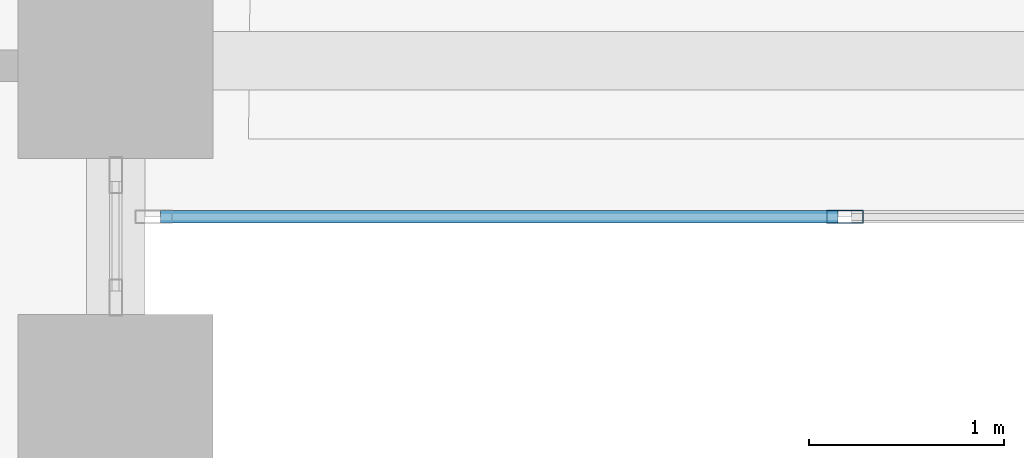
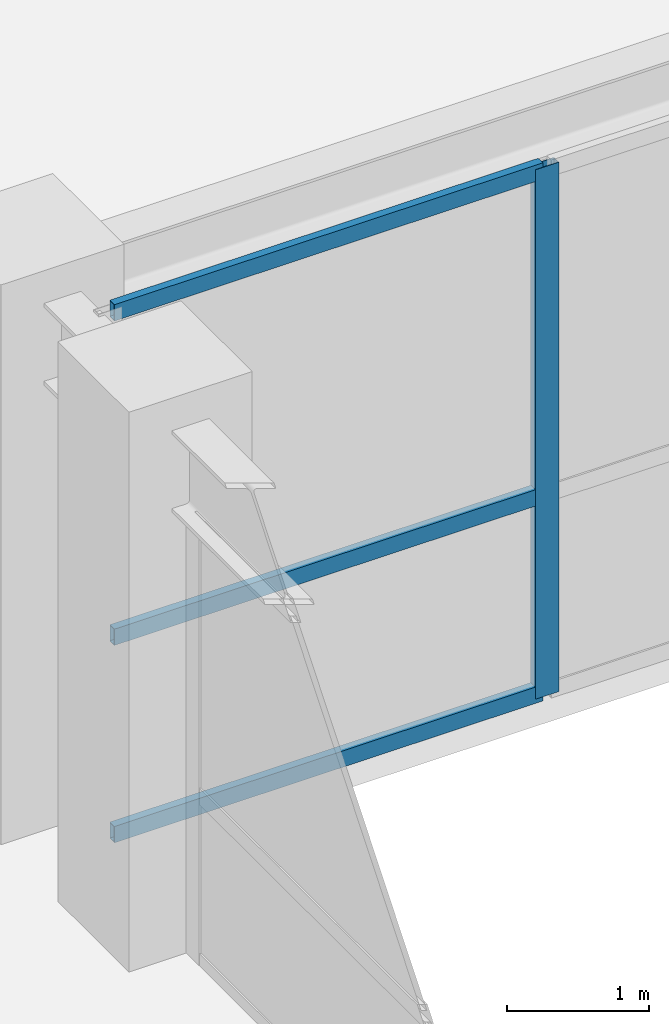
# One storey, part 17 of 48: 4 members, 1 element without a shape of its own.
"""IFC4 building model written with IfcOpenShell, lengths in metres."""

import ifcopenshell
import ifcopenshell.guid

model = None  # the IFC model being written
_history = None  # IfcOwnerHistory: only IFC2X3 demands one
_inside = {}  # id of a spatial element -> (the spatial element, [elements in it])
_under = {}  # id of a project, library or spatial element -> (it, [spatial elements below it])
_declared = {}  # id of a project -> (the project, [libraries it declares])
_typed = {}  # id of a type object -> (the type object, [elements of that type])
_made_of = {}  # id of a material, layer set ... -> (it, [elements and type objects made of it])


def new_model(schema):
    """Start an empty IFC model of exactly this schema.

    Asked for "IFC4X3", IfcOpenShell would pick the latest addendum, in which some entities
    have other attributes; the version numbers below select the first issue.
    IFC2X3 requires an IfcOwnerHistory on every rooted entity: one is made here for all.
    """
    global model, _history
    if schema == "IFC4X3":
        model = ifcopenshell.file(schema_version=(4, 3, 0, 0))
    else:
        model = ifcopenshell.file(schema=schema)
    _inside.clear()
    _under.clear()
    _declared.clear()
    _typed.clear()
    _made_of.clear()
    _history = None
    if model.schema == "IFC2X3":
        org = make("IfcOrganization", Name="unknown")
        user = make(
            "IfcPersonAndOrganization",
            ThePerson=make("IfcPerson", FamilyName="unknown"),
            TheOrganization=org,
        )
        app = make(
            "IfcApplication",
            ApplicationDeveloper=org,
            Version="unknown",
            ApplicationFullName="unknown",
            ApplicationIdentifier="unknown",
        )
        _history = make(
            "IfcOwnerHistory",
            OwningUser=user,
            OwningApplication=app,
            ChangeAction="ADDED",
            CreationDate=0,
        )
    return model


def make(cls, **values):
    """One entity of the class cls with the attributes given. An attribute that is None is left unset."""
    return model.create_entity(
        cls, **{name: value for name, value in values.items() if value is not None}
    )


def rooted(cls, **values):
    """An entity with a GlobalId (a new one), such as an element, a storey or a relation."""
    return make(cls, GlobalId=ifcopenshell.guid.new(), OwnerHistory=_history, **values)


def si_unit(unit_type, name, prefix=None):
    """IfcSIUnit, for example si_unit("LENGTHUNIT", "METRE", prefix="MILLI")."""
    return make("IfcSIUnit", UnitType=unit_type, Prefix=prefix, Name=name)


def derived_unit(unit_type, elements):
    """IfcDerivedUnit: a product of units, each with its exponent."""
    return make(
        "IfcDerivedUnit",
        Elements=[
            make("IfcDerivedUnitElement", Unit=unit, Exponent=power)
            for unit, power in elements
        ],
        UnitType=unit_type,
    )


def assignment(units):
    """IfcUnitAssignment: the units of a project."""
    return None if units is None else make("IfcUnitAssignment", Units=units)


def point(xyz):
    """IfcCartesianPoint."""
    return None if xyz is None else make("IfcCartesianPoint", Coordinates=xyz)


def direction(xyz):
    """IfcDirection."""
    return None if xyz is None else make("IfcDirection", DirectionRatios=xyz)


def frame(location, z_axis=None, x_axis=None):
    """IfcAxis2Placement3D, a coordinate frame: its origin and axes. An axis left out is left unset."""
    return make(
        "IfcAxis2Placement3D",
        Location=point(location),
        Axis=direction(z_axis),
        RefDirection=direction(x_axis),
    )


def frame_2d(location, x_axis=None):
    """IfcAxis2Placement2D, a coordinate frame in the plane: its origin and x axis."""
    return make(
        "IfcAxis2Placement2D", Location=point(location), RefDirection=direction(x_axis)
    )


def origin():
    """The frame at (0, 0, 0) with its axes left unset."""
    return frame((0.0, 0.0, 0.0))


def origin_2d():
    """The frame at (0, 0) in the plane with its x axis left unset."""
    return frame_2d((0.0, 0.0))


def place(relative_to, where):
    """IfcLocalPlacement: puts the frame where relative to a parent placement (None: the world)."""
    return make(
        "IfcLocalPlacement", PlacementRelTo=relative_to, RelativePlacement=where
    )


def context(
    kind, dimensions, precision=None, world=None, true_north=None, identifier=None
):
    """IfcGeometricRepresentationContext, for example the 3D "Model" context."""
    return make(
        "IfcGeometricRepresentationContext",
        ContextIdentifier=identifier,
        ContextType=kind,
        CoordinateSpaceDimension=dimensions,
        Precision=precision,
        WorldCoordinateSystem=world,
        TrueNorth=true_north,
    )


def subcontext(parent, identifier, kind, view, scale=None):
    """IfcGeometricRepresentationSubContext, for example "Body" below "Model"."""
    return make(
        "IfcGeometricRepresentationSubContext",
        ContextIdentifier=identifier,
        ContextType=kind,
        ParentContext=parent,
        TargetScale=scale,
        TargetView=view,
    )


def project(units=None, contexts=None):
    """IfcProject with its units and contexts."""
    return rooted(
        "IfcProject",
        Name="project",
        RepresentationContexts=contexts,
        UnitsInContext=assignment(units),
    )


def spatial(cls, under=None, at=None, **own):
    """A site, building, storey or space (cls), placed at a placement, below another one or the project."""
    s = rooted(cls, ObjectPlacement=at, **own)
    if under is not None:
        _under.setdefault(under.id(), (under, []))[1].append(s)
    return s


def profile(cls, at=None, kind="AREA", **sizes):
    """A parametric profile (cls). Its sizes go by their IFC names, for example OverallWidth=200.0."""
    return make(cls, ProfileType=kind, Position=at, **sizes)


def hollow_rectangle(**sizes):
    """IfcRectangleHollowProfileDef."""
    return profile("IfcRectangleHollowProfileDef", **sizes)


def extrude(swept, where, along, depth):
    """IfcExtrudedAreaSolid: the profile swept, set in the frame where, extruded along a direction by depth."""
    return make(
        "IfcExtrudedAreaSolid",
        SweptArea=swept,
        Position=where,
        ExtrudedDirection=direction(along),
        Depth=depth,
    )


def shape(context_of_items, identifier, shape_type, items):
    """IfcShapeRepresentation: the items that make up one representation, for example the "Body"."""
    return make(
        "IfcShapeRepresentation",
        ContextOfItems=context_of_items,
        RepresentationIdentifier=identifier,
        RepresentationType=shape_type,
        Items=items,
    )


def source(mapping_origin, context_of_items, identifier, shape_type, items):
    """IfcRepresentationMap: a shape defined once, which mapped items show again and again."""
    return make(
        "IfcRepresentationMap",
        MappingOrigin=mapping_origin,
        MappedRepresentation=shape(context_of_items, identifier, shape_type, items),
    )


def transform(
    local_origin,
    x_axis=None,
    y_axis=None,
    z_axis=None,
    scale=None,
    scale2=None,
    scale3=None,
    uniform=True,
):
    """IfcCartesianTransformationOperator3D, or its non-uniform kind. x_axis, y_axis, z_axis: its Axis1, 2, 3."""
    if uniform:
        return make(
            "IfcCartesianTransformationOperator3D",
            Axis1=direction(x_axis),
            Axis2=direction(y_axis),
            LocalOrigin=point(local_origin),
            Scale=scale,
            Axis3=direction(z_axis),
        )
    return make(
        "IfcCartesianTransformationOperator3DnonUniform",
        Axis1=direction(x_axis),
        Axis2=direction(y_axis),
        LocalOrigin=point(local_origin),
        Scale=scale,
        Axis3=direction(z_axis),
        Scale2=scale2,
        Scale3=scale3,
    )


def mapped(mapping_source, mapping_target):
    """IfcMappedItem: shows the shape of a source again, moved by a transform."""
    return make(
        "IfcMappedItem", MappingSource=mapping_source, MappingTarget=mapping_target
    )


def material(Name=None, Category=None):
    """IfcMaterial."""
    return make("IfcMaterial", Name=Name, Category=Category)


def layer(
    of_material, thickness, ventilated=None, Name=None, Category=None, Priority=None
):
    """IfcMaterialLayer: one layer of a wall or slab, of a material (None: an air gap)."""
    return make(
        "IfcMaterialLayer",
        Material=of_material,
        LayerThickness=thickness,
        IsVentilated=ventilated,
        Name=Name,
        Category=Category,
        Priority=Priority,
    )


def layer_set(layers, Name=None):
    """IfcMaterialLayerSet."""
    return make("IfcMaterialLayerSet", MaterialLayers=layers, LayerSetName=Name)


def material_profile(
    of_material, cross_section, Name=None, Category=None, Priority=None
):
    """IfcMaterialProfile: a cross section and its material."""
    return make(
        "IfcMaterialProfile",
        Name=Name,
        Material=of_material,
        Profile=cross_section,
        Priority=Priority,
        Category=Category,
    )


def profile_set(profiles, Name=None, composite=None):
    """IfcMaterialProfileSet."""
    return make(
        "IfcMaterialProfileSet",
        Name=Name,
        MaterialProfiles=profiles,
        CompositeProfile=composite,
    )


def made_of(thing, what):
    """Note that an element or type object is made of a material, layer set ...; save() writes the relation."""
    if what is not None:
        _made_of.setdefault(what.id(), (what, []))[1].append(thing)
    return thing


def type_object(cls, material=None, **own):
    """A type object (cls), such as IfcWallType, which elements share."""
    return made_of(rooted(cls, **own), material)


def element(
    cls,
    number,
    at=None,
    inside=None,
    cuts=None,
    type_object=None,
    material=None,
    context=None,
    identifier="Body",
    shape_type=None,
    held_by="IfcProductDefinitionShape",
    body=None,
    shapes=None,
    **own,
):
    """One element of the class cls, such as IfcWall. Its Tag is "e" and its number.

    at: its placement. inside: the storey or other place that contains it. cuts: it is an
    opening in that element (IfcRelVoidsElement). A single representation is given by context,
    identifier, shape_type and body (its items); several are given by shapes. held_by: the class
    of the entity that holds the representations. save() writes the other relations.
    """
    e = rooted(cls, Tag="e%d" % number, ObjectPlacement=at, **own)
    if body is not None:
        shapes = [shape(context, identifier, shape_type, body)]
    if shapes is not None:
        e.Representation = make(held_by, Representations=shapes)
    if inside is not None:
        _inside.setdefault(inside.id(), (inside, []))[1].append(e)
    if cuts is not None:
        rooted(
            "IfcRelVoidsElement", RelatingBuildingElement=cuts, RelatedOpeningElement=e
        )
    if type_object is not None:
        _typed.setdefault(type_object.id(), (type_object, []))[1].append(e)
    return made_of(e, material)


def aggregate(whole, parts):
    """IfcRelAggregates: a whole, such as a stair, and the parts it consists of."""
    return rooted("IfcRelAggregates", RelatingObject=whole, RelatedObjects=parts)


def save(model, path):
    """Write the relations noted so far, then the file.

    IfcRelAggregates (storeys below a building ...), IfcRelContainedInSpatialStructure (elements
    in a storey), IfcRelDefinesByType, IfcRelAssociatesMaterial and IfcRelDeclares: one each for
    every whole, place, type object, material and project.
    """
    for whole, parts in _under.values():
        aggregate(whole, parts)
    for where, things in _inside.values():
        rooted(
            "IfcRelContainedInSpatialStructure",
            RelatedElements=things,
            RelatingStructure=where,
        )
    for kind, things in _typed.values():
        rooted("IfcRelDefinesByType", RelatedObjects=things, RelatingType=kind)
    for what, things in _made_of.values():
        rooted("IfcRelAssociatesMaterial", RelatedObjects=things, RelatingMaterial=what)
    for by, libraries in _declared.values():
        rooted("IfcRelDeclares", RelatingContext=by, RelatedDefinitions=libraries)
    model.write(path)


model = new_model("IFC4")

# Units and contexts
model_context = context("Model", 3, precision=1e-05, world=origin(), true_north=direction((0.0, 1.0)))
body_context = subcontext(model_context, "Body", "Model", "MODEL_VIEW")
ifc_project = project(units=[si_unit("LENGTHUNIT", "METRE"), si_unit("AREAUNIT", "SQUARE_METRE"), si_unit("VOLUMEUNIT", "CUBIC_METRE"), si_unit("PLANEANGLEUNIT", "RADIAN"), si_unit("MASSUNIT", "GRAM", prefix="KILO"), derived_unit("THERMALTRANSMITTANCEUNIT", [(si_unit("POWERUNIT", "WATT"), 1), (si_unit("LENGTHUNIT", "METRE"), -2), (si_unit("THERMODYNAMICTEMPERATUREUNIT", "KELVIN"), -1)])], contexts=[model_context])

# Site, building, storey
site_placement = place(None, origin())
site = spatial("IfcSite", under=ifc_project, at=site_placement, CompositionType="ELEMENT")
building_placement = place(site_placement, origin())
building = spatial("IfcBuilding", under=site, at=building_placement, Name="Korsvarv Bourse and Concert Hall", CompositionType="ELEMENT")
storey_placement = place(building_placement, frame((0.0, 0.0, 4.800048828125)))
storey = spatial("IfcBuildingStorey", under=building, at=storey_placement, Name="L01", CompositionType="ELEMENT", Elevation=4.800048828125)

# Curtain wall, members
ifc_material_1 = material(Name="Anodised aluminium and triple low-E glazing", Category="glass")
ifc_layer = layer(ifc_material_1, 0.239990234375)
ifc_layer_set = layer_set([ifc_layer], Name="Anodised aluminium and triple low-E glazing")
curtain_wall_type = type_object("IfcCurtainWallType", Name="CW-SYS-5", PredefinedType="NOTDEFINED", material=ifc_layer_set)
curtain_wall_placement = place(storey_placement, origin())
curtain_wall = element("IfcCurtainWall", 1, at=curtain_wall_placement, inside=storey, type_object=curtain_wall_type, Name="L01 CW5 curtain wall CW-L01-LKS", PredefinedType="NOTDEFINED")
ifc_material_2 = material(Name="Extruded aluminium EN AW-6063 T66", Category="aluminium")
ifc_material_profile_1 = material_profile(ifc_material_2, hollow_rectangle(XDim=0.070068359375, YDim=0.18994140625, WallThickness=0.0048828125, at=origin_2d()), Name="ALU-M 70x190")
ifc_profile_set_1 = profile_set([ifc_material_profile_1], Name="Extruded aluminium EN AW-6063 T66")
member_type_1 = type_object("IfcMemberType", Name="CWM-190", PredefinedType="MULLION", material=ifc_profile_set_1)
shared_shape_1 = source(origin(), body_context, "Body", "SweptSolid", [
    extrude(hollow_rectangle(XDim=0.070068359375, YDim=0.18994140625, WallThickness=0.0048828125, at=origin_2d()), origin(), (0.0, 0.0, 1.0), 4.5400390625),
])
member_1_placement = place(storey_placement, frame((69.739990234375, 29.0, 0.0), z_axis=(0.0, 0.0, 1.0), x_axis=(0.0, 1.0, 0.0)))
member_1 = element("IfcMember", 2, at=member_1_placement, type_object=member_type_1, Name="CW5 mullion 2", PredefinedType="MULLION", context=body_context, shape_type="MappedRepresentation", body=[
    mapped(shared_shape_1, transform((0.0, 0.0, 0.0), scale=1.0)),
])
ifc_material_profile_2 = material_profile(ifc_material_2, hollow_rectangle(XDim=0.06494140625, YDim=0.139892578125, WallThickness=0.00390625, at=origin_2d()), Name="ALU-T 65x140")
ifc_profile_set_2 = profile_set([ifc_material_profile_2], Name="Extruded aluminium EN AW-6063 T66")
member_type_2 = type_object("IfcMemberType", Name="CWT-140", PredefinedType="USERDEFINED", material=ifc_profile_set_2)
shared_shape_2 = source(origin(), body_context, "Body", "SweptSolid", [
    extrude(hollow_rectangle(XDim=0.06494140625, YDim=0.139892578125, WallThickness=0.00390625, at=origin_2d()), origin(), (0.0, 0.0, 1.0), 3.47509765625),
])
member_2_placement = place(storey_placement, frame((66.22998046875, 29.0, 0.032470703125), z_axis=(1.0, 0.0, 0.0), x_axis=(0.0, 1.0, 0.0)))
member_2 = element("IfcMember", 3, at=member_2_placement, type_object=member_type_2, Name="CW5 transom 1.1", ObjectType="TRANSOM", PredefinedType="USERDEFINED", context=body_context, shape_type="MappedRepresentation", body=[
    mapped(shared_shape_2, transform((0.0, 0.0, 0.0), scale=1.0)),
])
member_3_placement = place(storey_placement, frame((66.22998046875, 29.0, 1.72509765625), z_axis=(1.0, 0.0, 0.0), x_axis=(0.0, 1.0, 0.0)))
member_3 = element("IfcMember", 4, at=member_3_placement, type_object=member_type_2, Name="CW5 transom 1.2", ObjectType="TRANSOM", PredefinedType="USERDEFINED", context=body_context, shape_type="MappedRepresentation", body=[
    mapped(shared_shape_2, transform((0.0, 0.0, 0.0), scale=1.0)),
])
member_4_placement = place(storey_placement, frame((66.22998046875, 29.0, 4.507568359375), z_axis=(1.0, 0.0, 0.0), x_axis=(0.0, 1.0, 0.0)))
member_4 = element("IfcMember", 5, at=member_4_placement, type_object=member_type_2, Name="CW5 transom 1.3", ObjectType="TRANSOM", PredefinedType="USERDEFINED", context=body_context, shape_type="MappedRepresentation", body=[
    mapped(shared_shape_2, transform((0.0, 0.0, 0.0), scale=1.0)),
])
aggregate(curtain_wall, [member_1, member_2, member_3, member_4])

save(model, "model.ifc")
